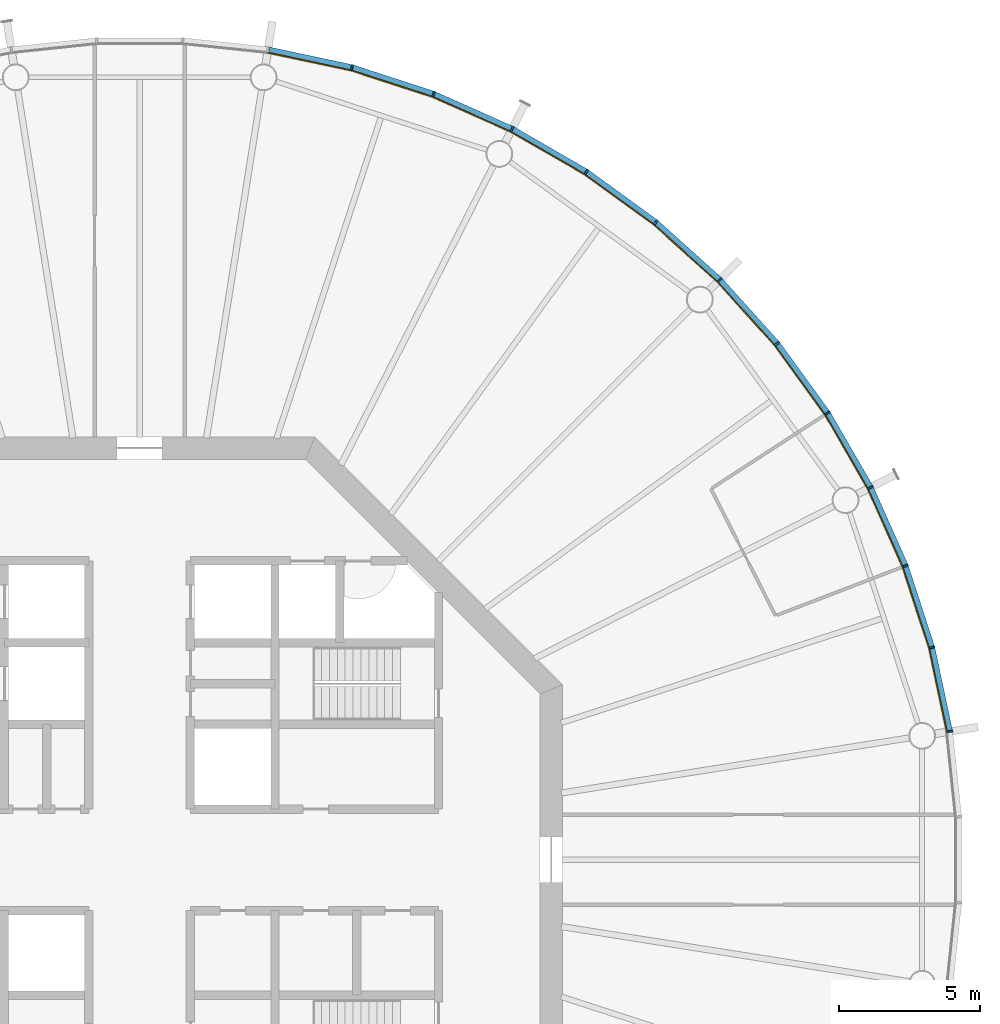
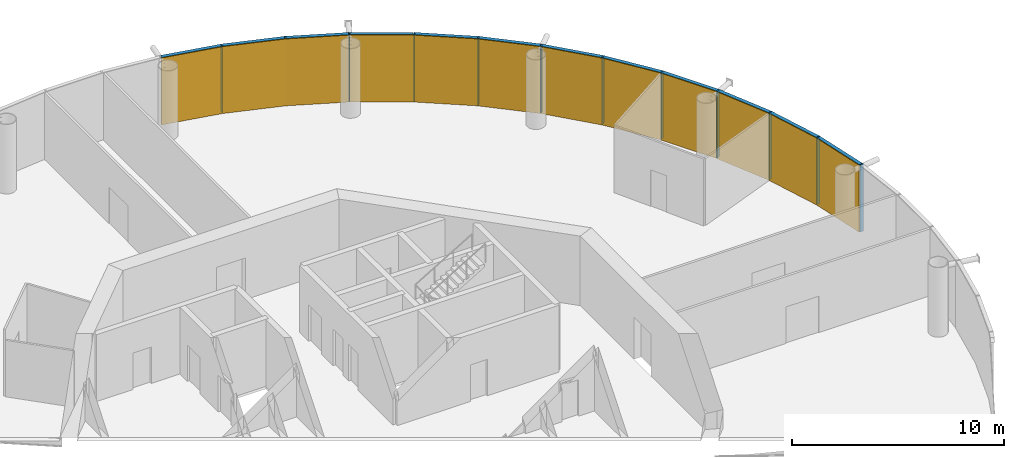
# One storey, part 15 of 16: 24 members, 4 curtain walls.
"""IFC4 building model written with IfcOpenShell, lengths in metres."""

from ifc_helpers import new_model, si_unit, direction, frame, origin, origin_2d, place, context, subcontext, project, spatial, polyline, rectangle, outline, extrude, material, layer, layer_set, material_profile, profile_set, type_object, element, aggregate, save


model = new_model("IFC4")

# Units and contexts
model_context = context("Model", 3, precision=1e-05, world=origin(), true_north=direction((0.0, 1.0)))
body_context = subcontext(model_context, "Body", "Model", "MODEL_VIEW")
ifc_project = project(units=[si_unit("LENGTHUNIT", "METRE"), si_unit("AREAUNIT", "SQUARE_METRE"), si_unit("VOLUMEUNIT", "CUBIC_METRE"), si_unit("PLANEANGLEUNIT", "RADIAN"), si_unit("MASSUNIT", "GRAM", prefix="KILO")], contexts=[model_context])

# Member
ifc_material_1 = material(Name="Anodised aluminium", Category="aluminium")
ifc_material_profile_1 = material_profile(ifc_material_1, rectangle(XDim=0.06494140625, YDim=0.195068359375, at=origin_2d()), Name="Mullion 65 x 195 mm anodised aluminium")
ifc_profile_set_1 = profile_set([ifc_material_profile_1], Name="Anodised aluminium")
member_type_1 = type_object("IfcMemberType", Name="Mullion 65 x 195 mm anodised aluminium", PredefinedType="MULLION", material=ifc_profile_set_1)
site_placement = place(None, origin())
building_placement = place(site_placement, origin())
storey_placement = place(building_placement, frame((0.0, 0.0, 326.0)))
member_1_placement = place(storey_placement, frame((118.7392578125, 84.5517578125, 0.0), z_axis=(0.0, 0.0, 1.0), x_axis=(-0.15643446504, 0.987688340595, 0.0)))
member_1 = element("IfcMember", 1, at=member_1_placement, type_object=member_type_1, Name="MULLION L75-00", PredefinedType="MULLION", context=body_context, shape_type="SweptSolid", body=[
    extrude(rectangle(XDim=0.06494140625, YDim=0.195068359375, at=origin_2d()), origin(), (0.0, 0.0, 1.0), 3.85009765625),
])

member_2_placement = place(storey_placement, frame((118.10595703125, 87.531005859375, 0.0), z_axis=(0.0, 0.0, 1.0), x_axis=(-0.258819045103, 0.965925826289, 0.0)))
member_2 = element("IfcMember", 2, at=member_2_placement, type_object=member_type_1, Name="MULLION L75-01", PredefinedType="MULLION", context=body_context, shape_type="SweptSolid", body=[
    extrude(rectangle(XDim=0.06494140625, YDim=0.195068359375, at=origin_2d()), origin(), (0.0, 0.0, 1.0), 3.85009765625),
])

member_3_placement = place(storey_placement, frame((117.164794921875, 90.427490234375, 0.0), z_axis=(0.0, 0.0, 1.0), x_axis=(-0.358367949545, 0.933580426497, 0.0)))
member_3 = element("IfcMember", 3, at=member_3_placement, type_object=member_type_1, Name="MULLION L75-02", PredefinedType="MULLION", context=body_context, shape_type="SweptSolid", body=[
    extrude(rectangle(XDim=0.06494140625, YDim=0.195068359375, at=origin_2d()), origin(), (0.0, 0.0, 1.0), 3.85009765625),
])

member_4_placement = place(storey_placement, frame((115.926025390625, 93.2099609375, 0.0), z_axis=(0.0, 0.0, 1.0), x_axis=(-0.45399049974, 0.891006524188, 0.0)))
member_4 = element("IfcMember", 4, at=member_4_placement, type_object=member_type_1, Name="MULLION L75-03", PredefinedType="MULLION", context=body_context, shape_type="SweptSolid", body=[
    extrude(rectangle(XDim=0.06494140625, YDim=0.195068359375, at=origin_2d()), origin(), (0.0, 0.0, 1.0), 3.85009765625),
])

member_5_placement = place(storey_placement, frame((114.4033203125, 95.84765625, 0.0), z_axis=(0.0, 0.0, 1.0), x_axis=(-0.544639035015, 0.838670567945, 0.0)))
member_5 = element("IfcMember", 5, at=member_5_placement, type_object=member_type_1, Name="MULLION L75-04", PredefinedType="MULLION", context=body_context, shape_type="SweptSolid", body=[
    extrude(rectangle(XDim=0.06494140625, YDim=0.195068359375, at=origin_2d()), origin(), (0.0, 0.0, 1.0), 3.85009765625),
])

member_6_placement = place(storey_placement, frame((112.613037109375, 98.311767578125, 0.0), z_axis=(0.0, 0.0, 1.0), x_axis=(-0.62932039105, 0.777145961457, 0.0)))
member_6 = element("IfcMember", 6, at=member_6_placement, type_object=member_type_1, Name="MULLION L75-05", PredefinedType="MULLION", context=body_context, shape_type="SweptSolid", body=[
    extrude(rectangle(XDim=0.06494140625, YDim=0.195068359375, at=origin_2d()), origin(), (0.0, 0.0, 1.0), 3.85009765625),
])

member_7_placement = place(storey_placement, frame((110.574951171875, 100.574951171875, 0.0), z_axis=(0.0, 0.0, 1.0), x_axis=(-0.707106781187, 0.707106781187, 0.0)))
member_7 = element("IfcMember", 7, at=member_7_placement, type_object=member_type_1, Name="MULLION L75-06", PredefinedType="MULLION", context=body_context, shape_type="SweptSolid", body=[
    extrude(rectangle(XDim=0.06494140625, YDim=0.195068359375, at=origin_2d()), origin(), (0.0, 0.0, 1.0), 3.85009765625),
])

member_8_placement = place(storey_placement, frame((108.311767578125, 102.613037109375, 0.0), z_axis=(0.0, 0.0, 1.0), x_axis=(-0.777145961457, 0.62932039105, 0.0)))
member_8 = element("IfcMember", 8, at=member_8_placement, type_object=member_type_1, Name="MULLION L75-07", PredefinedType="MULLION", context=body_context, shape_type="SweptSolid", body=[
    extrude(rectangle(XDim=0.06494140625, YDim=0.195068359375, at=origin_2d()), origin(), (0.0, 0.0, 1.0), 3.85009765625),
])

member_9_placement = place(storey_placement, frame((105.84765625, 104.4033203125, 0.0), z_axis=(0.0, 0.0, 1.0), x_axis=(-0.838670567945, 0.544639035015, 0.0)))
member_9 = element("IfcMember", 9, at=member_9_placement, type_object=member_type_1, Name="MULLION L75-08", PredefinedType="MULLION", context=body_context, shape_type="SweptSolid", body=[
    extrude(rectangle(XDim=0.06494140625, YDim=0.195068359375, at=origin_2d()), origin(), (0.0, 0.0, 1.0), 3.85009765625),
])

member_10_placement = place(storey_placement, frame((103.2099609375, 105.926025390625, 0.0), z_axis=(0.0, 0.0, 1.0), x_axis=(-0.891006524188, 0.45399049974, 0.0)))
member_10 = element("IfcMember", 10, at=member_10_placement, type_object=member_type_1, Name="MULLION L75-09", PredefinedType="MULLION", context=body_context, shape_type="SweptSolid", body=[
    extrude(rectangle(XDim=0.06494140625, YDim=0.195068359375, at=origin_2d()), origin(), (0.0, 0.0, 1.0), 3.85009765625),
])

member_11_placement = place(storey_placement, frame((100.427490234375, 107.164794921875, 0.0), z_axis=(0.0, 0.0, 1.0), x_axis=(-0.933580426497, 0.358367949545, 0.0)))
member_11 = element("IfcMember", 11, at=member_11_placement, type_object=member_type_1, Name="MULLION L75-10", PredefinedType="MULLION", context=body_context, shape_type="SweptSolid", body=[
    extrude(rectangle(XDim=0.06494140625, YDim=0.195068359375, at=origin_2d()), origin(), (0.0, 0.0, 1.0), 3.85009765625),
])

member_12_placement = place(storey_placement, frame((97.531005859375, 108.10595703125, 0.0), z_axis=(0.0, 0.0, 1.0), x_axis=(-0.965925826289, 0.258819045103, 0.0)))
member_12 = element("IfcMember", 12, at=member_12_placement, type_object=member_type_1, Name="MULLION L75-11", PredefinedType="MULLION", context=body_context, shape_type="SweptSolid", body=[
    extrude(rectangle(XDim=0.06494140625, YDim=0.195068359375, at=origin_2d()), origin(), (0.0, 0.0, 1.0), 3.85009765625),
])

ifc_material_2 = material(Name="Anodised aluminium", Category="aluminium")
ifc_material_profile_2 = material_profile(ifc_material_2, rectangle(XDim=0.195068359375, YDim=0.179931640625, at=origin_2d()), Name="Transom 180 x 195 mm anodised aluminium")
ifc_profile_set_2 = profile_set([ifc_material_profile_2], Name="Anodised aluminium")
member_type_2 = type_object("IfcMemberType", Name="Transom 180 x 195 mm anodised aluminium", PredefinedType="USERDEFINED", material=ifc_profile_set_2)
member_13_placement = place(storey_placement, frame((118.731689453125, 84.588623046875, 3.760009765625), z_axis=(-0.207940342877, 0.978141510112, 0.0), x_axis=(-0.978141510112, -0.207940342877, 0.0)))
member_13 = element("IfcMember", 13, at=member_13_placement, type_object=member_type_2, Name="TRANSOM L75-00", ObjectType="TRANSOM", PredefinedType="USERDEFINED", context=body_context, shape_type="SweptSolid", body=[
    extrude(rectangle(XDim=0.195068359375, YDim=0.179931640625, at=origin_2d()), origin(), (0.0, 0.0, 1.0), 2.970458984375),
])

member_14_placement = place(storey_placement, frame((118.094482421875, 87.56689453125, 3.760009765625), z_axis=(-0.309043326415, 0.951047960094, 0.0), x_axis=(-0.951047960094, -0.309043326415, 0.0)))
member_14 = element("IfcMember", 14, at=member_14_placement, type_object=member_type_2, Name="TRANSOM L75-01", ObjectType="TRANSOM", PredefinedType="USERDEFINED", context=body_context, shape_type="SweptSolid", body=[
    extrude(rectangle(XDim=0.195068359375, YDim=0.179931640625, at=origin_2d()), origin(), (0.0, 0.0, 1.0), 2.970458984375),
])

member_15_placement = place(storey_placement, frame((117.149658203125, 90.4619140625, 3.760009765625), z_axis=(-0.406725527369, 0.913550406593, 0.0), x_axis=(-0.913550406593, -0.406725527369, 0.0)))
member_15 = element("IfcMember", 15, at=member_15_placement, type_object=member_type_2, Name="TRANSOM L75-02", ObjectType="TRANSOM", PredefinedType="USERDEFINED", context=body_context, shape_type="SweptSolid", body=[
    extrude(rectangle(XDim=0.195068359375, YDim=0.179931640625, at=origin_2d()), origin(), (0.0, 0.0, 1.0), 2.970703125),
])

member_16_placement = place(storey_placement, frame((115.907470703125, 93.24267578125, 3.760009765625), z_axis=(-0.500028367561, 0.866009025146, 0.0), x_axis=(-0.866009025146, -0.500028367561, 0.0)))
member_16 = element("IfcMember", 16, at=member_16_placement, type_object=member_type_2, Name="TRANSOM L75-03", ObjectType="TRANSOM", PredefinedType="USERDEFINED", context=body_context, shape_type="SweptSolid", body=[
    extrude(rectangle(XDim=0.195068359375, YDim=0.179931640625, at=origin_2d()), origin(), (0.0, 0.0, 1.0), 2.970458984375),
])

member_17_placement = place(storey_placement, frame((114.381103515625, 95.878173828125, 3.760009765625), z_axis=(-0.587765987476, 0.809030990733, 0.0), x_axis=(-0.809030990733, -0.587765987476, 0.0)))
member_17 = element("IfcMember", 17, at=member_17_placement, type_object=member_type_2, Name="TRANSOM L75-04", ObjectType="TRANSOM", PredefinedType="USERDEFINED", context=body_context, shape_type="SweptSolid", body=[
    extrude(rectangle(XDim=0.195068359375, YDim=0.179931640625, at=origin_2d()), origin(), (0.0, 0.0, 1.0), 2.97021484375),
])

member_18_placement = place(storey_placement, frame((112.587890625, 98.339599609375, 3.760009765625), z_axis=(-0.669110027395, 0.743163354343, 0.0), x_axis=(-0.743163354343, -0.669110027395, 0.0)))
member_18 = element("IfcMember", 18, at=member_18_placement, type_object=member_type_2, Name="TRANSOM L75-05", ObjectType="TRANSOM", PredefinedType="USERDEFINED", context=body_context, shape_type="SweptSolid", body=[
    extrude(rectangle(XDim=0.195068359375, YDim=0.179931640625, at=origin_2d()), origin(), (0.0, 0.0, 1.0), 2.970458984375),
])

member_19_placement = place(storey_placement, frame((110.547119140625, 100.600341796875, 3.760009765625), z_axis=(-0.743163354343, 0.669110027395, 0.0), x_axis=(-0.669110027395, -0.743163354343, 0.0)))
member_19 = element("IfcMember", 19, at=member_19_placement, type_object=member_type_2, Name="TRANSOM L75-06", ObjectType="TRANSOM", PredefinedType="USERDEFINED", context=body_context, shape_type="SweptSolid", body=[
    extrude(rectangle(XDim=0.195068359375, YDim=0.179931640625, at=origin_2d()), origin(), (0.0, 0.0, 1.0), 2.970458984375),
])

member_20_placement = place(storey_placement, frame((108.28125, 102.63525390625, 3.760009765625), z_axis=(-0.809030990733, 0.587765987476, 0.0), x_axis=(-0.587765987476, -0.809030990733, 0.0)))
member_20 = element("IfcMember", 20, at=member_20_placement, type_object=member_type_2, Name="TRANSOM L75-07", ObjectType="TRANSOM", PredefinedType="USERDEFINED", context=body_context, shape_type="SweptSolid", body=[
    extrude(rectangle(XDim=0.195068359375, YDim=0.179931640625, at=origin_2d()), origin(), (0.0, 0.0, 1.0), 2.97021484375),
])

member_21_placement = place(storey_placement, frame((105.815185546875, 104.422119140625, 3.760009765625), z_axis=(-0.866009025146, 0.500028367561, 0.0), x_axis=(-0.500028367561, -0.866009025146, 0.0)))
member_21 = element("IfcMember", 21, at=member_21_placement, type_object=member_type_2, Name="TRANSOM L75-08", ObjectType="TRANSOM", PredefinedType="USERDEFINED", context=body_context, shape_type="SweptSolid", body=[
    extrude(rectangle(XDim=0.195068359375, YDim=0.179931640625, at=origin_2d()), origin(), (0.0, 0.0, 1.0), 2.970458984375),
])

member_22_placement = place(storey_placement, frame((103.17578125, 105.94140625, 3.760009765625), z_axis=(-0.913550406593, 0.406725527369, 0.0), x_axis=(-0.406725527369, -0.913550406593, 0.0)))
member_22 = element("IfcMember", 22, at=member_22_placement, type_object=member_type_2, Name="TRANSOM L75-09", ObjectType="TRANSOM", PredefinedType="USERDEFINED", context=body_context, shape_type="SweptSolid", body=[
    extrude(rectangle(XDim=0.195068359375, YDim=0.179931640625, at=origin_2d()), origin(), (0.0, 0.0, 1.0), 2.970703125),
])

member_23_placement = place(storey_placement, frame((100.391845703125, 107.176513671875, 3.760009765625), z_axis=(-0.951047960094, 0.309043326415, 0.0), x_axis=(-0.309043326415, -0.951047960094, 0.0)))
member_23 = element("IfcMember", 23, at=member_23_placement, type_object=member_type_2, Name="TRANSOM L75-10", ObjectType="TRANSOM", PredefinedType="USERDEFINED", context=body_context, shape_type="SweptSolid", body=[
    extrude(rectangle(XDim=0.195068359375, YDim=0.179931640625, at=origin_2d()), origin(), (0.0, 0.0, 1.0), 2.970458984375),
])

member_24_placement = place(storey_placement, frame((97.494140625, 108.114013671875, 3.760009765625), z_axis=(-0.978141510112, 0.207940342877, 0.0), x_axis=(-0.207940342877, -0.978141510112, 0.0)))
member_24 = element("IfcMember", 24, at=member_24_placement, type_object=member_type_2, Name="TRANSOM L75-11", ObjectType="TRANSOM", PredefinedType="USERDEFINED", context=body_context, shape_type="SweptSolid", body=[
    extrude(rectangle(XDim=0.195068359375, YDim=0.179931640625, at=origin_2d()), origin(), (0.0, 0.0, 1.0), 2.970458984375),
])

# Site, building, storey
site = spatial("IfcSite", under=ifc_project, at=site_placement, CompositionType="ELEMENT")
building = spatial("IfcBuilding", under=site, at=building_placement, Name="Entoto Ring Tower", CompositionType="ELEMENT")
storey = spatial("IfcBuildingStorey", under=building, at=storey_placement, Name="L75", CompositionType="ELEMENT", Elevation=326.0)

# Curtain wall
ifc_material_3 = material(Name="Clear low-iron glass", Category="glass")
ifc_layer = layer(ifc_material_3, 0.033935546875)
ifc_layer_set = layer_set([ifc_layer], Name="Clear low-iron glass")
curtain_wall_type = type_object("IfcCurtainWallType", Name="Curtain wall system CW5 glazing 34 mm", PredefinedType="NOTDEFINED", material=ifc_layer_set)
curtain_wall_1_placement = place(storey_placement, origin())
curtain_wall_1 = element("IfcCurtainWall", 25, at=curtain_wall_1_placement, inside=storey, type_object=curtain_wall_type, Name="CW5 L75-01", PredefinedType="NOTDEFINED", context=body_context, shape_type="SweptSolid", body=[
    extrude(outline(polyline([(118.64306640625, 84.53662109375), (118.011962890625, 87.505859375), (117.07373046875, 90.392578125), (115.839111328125, 93.165771484375), (115.808837890625, 93.150146484375), (117.0419921875, 90.38037109375), (117.97900390625, 87.496826171875), (118.609375, 84.53125), (118.64306640625, 84.53662109375)])), origin(), (0.0, 0.0, 1.0), 3.85009765625),
])

aggregate(curtain_wall_1, [member_1, member_2, member_3, member_13, member_14, member_15])

curtain_wall_2_placement = place(storey_placement, origin())
curtain_wall_2 = element("IfcCurtainWall", 26, at=curtain_wall_2_placement, inside=storey, type_object=curtain_wall_type, Name="CW5 L75-02", PredefinedType="NOTDEFINED", context=body_context, shape_type="SweptSolid", body=[
    extrude(outline(polyline([(115.839111328125, 93.165771484375), (114.321533203125, 95.79443359375), (112.537353515625, 98.250244140625), (110.506103515625, 100.506103515625), (110.48193359375, 100.48193359375), (112.5107421875, 98.228759765625), (114.29296875, 95.77587890625), (115.808837890625, 93.150146484375), (115.839111328125, 93.165771484375)])), origin(), (0.0, 0.0, 1.0), 3.85009765625),
])

aggregate(curtain_wall_2, [member_4, member_5, member_6, member_16, member_17, member_18])

curtain_wall_3_placement = place(storey_placement, origin())
curtain_wall_3 = element("IfcCurtainWall", 27, at=curtain_wall_3_placement, inside=storey, type_object=curtain_wall_type, Name="CW5 L75-03", PredefinedType="NOTDEFINED", context=body_context, shape_type="SweptSolid", body=[
    extrude(outline(polyline([(110.506103515625, 100.506103515625), (108.250244140625, 102.537353515625), (105.79443359375, 104.321533203125), (103.165771484375, 105.839111328125), (103.150146484375, 105.808837890625), (105.77587890625, 104.29296875), (108.228759765625, 102.5107421875), (110.48193359375, 100.48193359375), (110.506103515625, 100.506103515625)])), origin(), (0.0, 0.0, 1.0), 3.85009765625),
])

aggregate(curtain_wall_3, [member_7, member_8, member_9, member_19, member_20, member_21])

curtain_wall_4_placement = place(storey_placement, origin())
curtain_wall_4 = element("IfcCurtainWall", 28, at=curtain_wall_4_placement, inside=storey, type_object=curtain_wall_type, Name="CW5 L75-04", PredefinedType="NOTDEFINED", context=body_context, shape_type="SweptSolid", body=[
    extrude(outline(polyline([(103.165771484375, 105.839111328125), (100.392578125, 107.07373046875), (97.505859375, 108.011962890625), (94.53662109375, 108.64306640625), (94.53125, 108.609375), (97.496826171875, 107.97900390625), (100.38037109375, 107.0419921875), (103.150146484375, 105.808837890625), (103.165771484375, 105.839111328125)])), origin(), (0.0, 0.0, 1.0), 3.85009765625),
])

aggregate(curtain_wall_4, [member_10, member_11, member_12, member_22, member_23, member_24])

save(model, "model.ifc")
